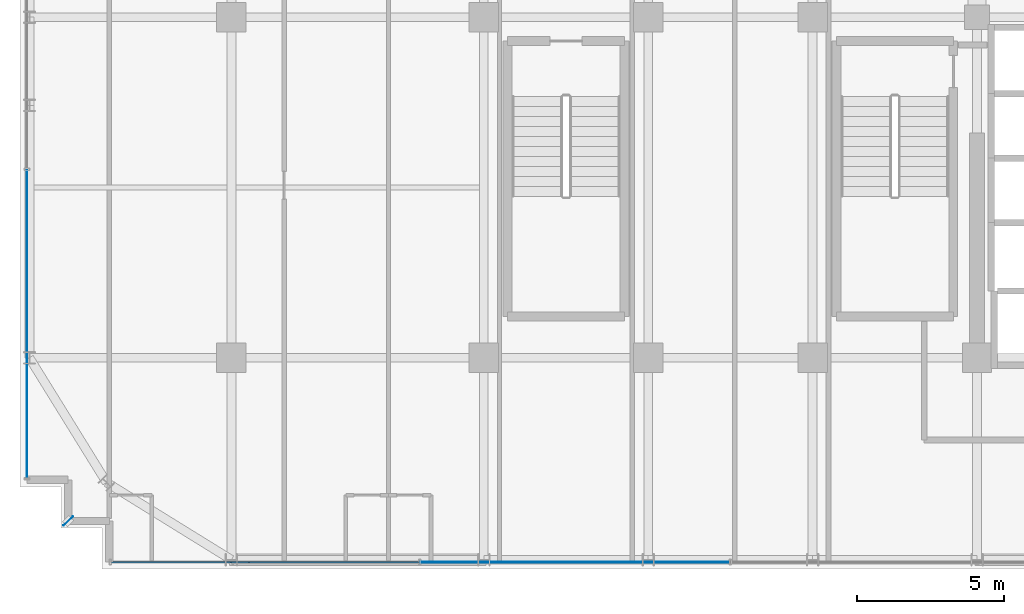
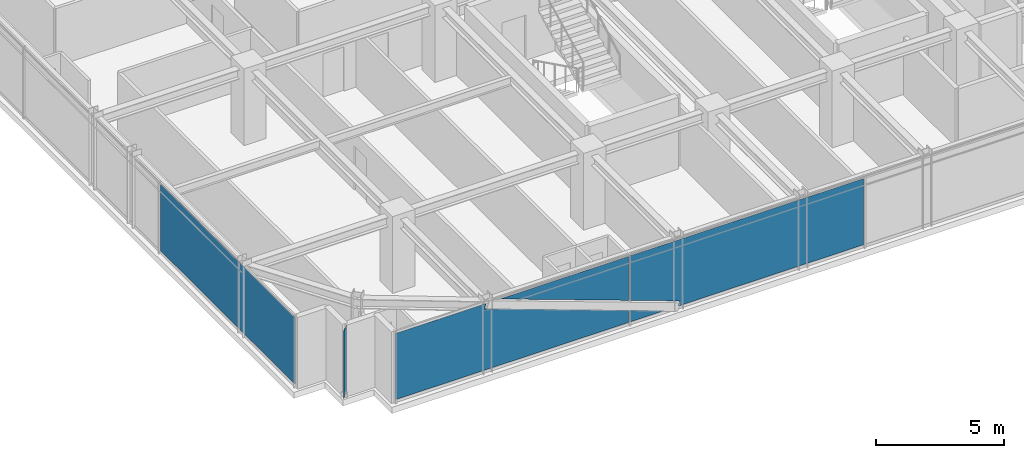
# One storey, part 29 of 43: 4 plates, 2 elements without a shape of their own.
"""IFC4 building model written with IfcOpenShell, lengths in metres."""

import ifcopenshell
import ifcopenshell.guid

model = None  # the IFC model being written
_history = None  # IfcOwnerHistory: only IFC2X3 demands one
_inside = {}  # id of a spatial element -> (the spatial element, [elements in it])
_under = {}  # id of a project, library or spatial element -> (it, [spatial elements below it])
_declared = {}  # id of a project -> (the project, [libraries it declares])
_typed = {}  # id of a type object -> (the type object, [elements of that type])
_made_of = {}  # id of a material, layer set ... -> (it, [elements and type objects made of it])


def new_model(schema):
    """Start an empty IFC model of exactly this schema.

    Asked for "IFC4X3", IfcOpenShell would pick the latest addendum, in which some entities
    have other attributes; the version numbers below select the first issue.
    IFC2X3 requires an IfcOwnerHistory on every rooted entity: one is made here for all.
    """
    global model, _history
    if schema == "IFC4X3":
        model = ifcopenshell.file(schema_version=(4, 3, 0, 0))
    else:
        model = ifcopenshell.file(schema=schema)
    _inside.clear()
    _under.clear()
    _declared.clear()
    _typed.clear()
    _made_of.clear()
    _history = None
    if model.schema == "IFC2X3":
        org = make("IfcOrganization", Name="unknown")
        user = make(
            "IfcPersonAndOrganization",
            ThePerson=make("IfcPerson", FamilyName="unknown"),
            TheOrganization=org,
        )
        app = make(
            "IfcApplication",
            ApplicationDeveloper=org,
            Version="unknown",
            ApplicationFullName="unknown",
            ApplicationIdentifier="unknown",
        )
        _history = make(
            "IfcOwnerHistory",
            OwningUser=user,
            OwningApplication=app,
            ChangeAction="ADDED",
            CreationDate=0,
        )
    return model


def make(cls, **values):
    """One entity of the class cls with the attributes given. An attribute that is None is left unset."""
    return model.create_entity(
        cls, **{name: value for name, value in values.items() if value is not None}
    )


def rooted(cls, **values):
    """An entity with a GlobalId (a new one), such as an element, a storey or a relation."""
    return make(cls, GlobalId=ifcopenshell.guid.new(), OwnerHistory=_history, **values)


def si_unit(unit_type, name, prefix=None):
    """IfcSIUnit, for example si_unit("LENGTHUNIT", "METRE", prefix="MILLI")."""
    return make("IfcSIUnit", UnitType=unit_type, Prefix=prefix, Name=name)


def assignment(units):
    """IfcUnitAssignment: the units of a project."""
    return None if units is None else make("IfcUnitAssignment", Units=units)


def point(xyz):
    """IfcCartesianPoint."""
    return None if xyz is None else make("IfcCartesianPoint", Coordinates=xyz)


def direction(xyz):
    """IfcDirection."""
    return None if xyz is None else make("IfcDirection", DirectionRatios=xyz)


def frame(location, z_axis=None, x_axis=None):
    """IfcAxis2Placement3D, a coordinate frame: its origin and axes. An axis left out is left unset."""
    return make(
        "IfcAxis2Placement3D",
        Location=point(location),
        Axis=direction(z_axis),
        RefDirection=direction(x_axis),
    )


def frame_2d(location, x_axis=None):
    """IfcAxis2Placement2D, a coordinate frame in the plane: its origin and x axis."""
    return make(
        "IfcAxis2Placement2D", Location=point(location), RefDirection=direction(x_axis)
    )


def origin():
    """The frame at (0, 0, 0) with its axes left unset."""
    return frame((0.0, 0.0, 0.0))


def origin_2d():
    """The frame at (0, 0) in the plane with its x axis left unset."""
    return frame_2d((0.0, 0.0))


def place(relative_to, where):
    """IfcLocalPlacement: puts the frame where relative to a parent placement (None: the world)."""
    return make(
        "IfcLocalPlacement", PlacementRelTo=relative_to, RelativePlacement=where
    )


def context(
    kind, dimensions, precision=None, world=None, true_north=None, identifier=None
):
    """IfcGeometricRepresentationContext, for example the 3D "Model" context."""
    return make(
        "IfcGeometricRepresentationContext",
        ContextIdentifier=identifier,
        ContextType=kind,
        CoordinateSpaceDimension=dimensions,
        Precision=precision,
        WorldCoordinateSystem=world,
        TrueNorth=true_north,
    )


def subcontext(parent, identifier, kind, view, scale=None):
    """IfcGeometricRepresentationSubContext, for example "Body" below "Model"."""
    return make(
        "IfcGeometricRepresentationSubContext",
        ContextIdentifier=identifier,
        ContextType=kind,
        ParentContext=parent,
        TargetScale=scale,
        TargetView=view,
    )


def project(units=None, contexts=None):
    """IfcProject with its units and contexts."""
    return rooted(
        "IfcProject",
        Name="project",
        RepresentationContexts=contexts,
        UnitsInContext=assignment(units),
    )


def spatial(cls, under=None, at=None, **own):
    """A site, building, storey or space (cls), placed at a placement, below another one or the project."""
    s = rooted(cls, ObjectPlacement=at, **own)
    if under is not None:
        _under.setdefault(under.id(), (under, []))[1].append(s)
    return s


def polyline(points):
    """IfcPolyline through the points."""
    return make("IfcPolyline", Points=[point(p) for p in points])


def profile(cls, at=None, kind="AREA", **sizes):
    """A parametric profile (cls). Its sizes go by their IFC names, for example OverallWidth=200.0."""
    return make(cls, ProfileType=kind, Position=at, **sizes)


def rectangle(**sizes):
    """IfcRectangleProfileDef."""
    return profile("IfcRectangleProfileDef", **sizes)


def outline(outer, holes=None, kind="AREA"):
    """IfcArbitraryClosedProfileDef: a profile drawn as a closed curve; with holes, ...WithVoids."""
    if holes is None:
        return make("IfcArbitraryClosedProfileDef", ProfileType=kind, OuterCurve=outer)
    return make(
        "IfcArbitraryProfileDefWithVoids",
        ProfileType=kind,
        OuterCurve=outer,
        InnerCurves=holes,
    )


def extrude(swept, where, along, depth):
    """IfcExtrudedAreaSolid: the profile swept, set in the frame where, extruded along a direction by depth."""
    return make(
        "IfcExtrudedAreaSolid",
        SweptArea=swept,
        Position=where,
        ExtrudedDirection=direction(along),
        Depth=depth,
    )


def shape(context_of_items, identifier, shape_type, items):
    """IfcShapeRepresentation: the items that make up one representation, for example the "Body"."""
    return make(
        "IfcShapeRepresentation",
        ContextOfItems=context_of_items,
        RepresentationIdentifier=identifier,
        RepresentationType=shape_type,
        Items=items,
    )


def source(mapping_origin, context_of_items, identifier, shape_type, items):
    """IfcRepresentationMap: a shape defined once, which mapped items show again and again."""
    return make(
        "IfcRepresentationMap",
        MappingOrigin=mapping_origin,
        MappedRepresentation=shape(context_of_items, identifier, shape_type, items),
    )


def transform(
    local_origin,
    x_axis=None,
    y_axis=None,
    z_axis=None,
    scale=None,
    scale2=None,
    scale3=None,
    uniform=True,
):
    """IfcCartesianTransformationOperator3D, or its non-uniform kind. x_axis, y_axis, z_axis: its Axis1, 2, 3."""
    if uniform:
        return make(
            "IfcCartesianTransformationOperator3D",
            Axis1=direction(x_axis),
            Axis2=direction(y_axis),
            LocalOrigin=point(local_origin),
            Scale=scale,
            Axis3=direction(z_axis),
        )
    return make(
        "IfcCartesianTransformationOperator3DnonUniform",
        Axis1=direction(x_axis),
        Axis2=direction(y_axis),
        LocalOrigin=point(local_origin),
        Scale=scale,
        Axis3=direction(z_axis),
        Scale2=scale2,
        Scale3=scale3,
    )


def mapped(mapping_source, mapping_target):
    """IfcMappedItem: shows the shape of a source again, moved by a transform."""
    return make(
        "IfcMappedItem", MappingSource=mapping_source, MappingTarget=mapping_target
    )


def material(Name=None, Category=None):
    """IfcMaterial."""
    return make("IfcMaterial", Name=Name, Category=Category)


def layer(
    of_material, thickness, ventilated=None, Name=None, Category=None, Priority=None
):
    """IfcMaterialLayer: one layer of a wall or slab, of a material (None: an air gap)."""
    return make(
        "IfcMaterialLayer",
        Material=of_material,
        LayerThickness=thickness,
        IsVentilated=ventilated,
        Name=Name,
        Category=Category,
        Priority=Priority,
    )


def layer_set(layers, Name=None):
    """IfcMaterialLayerSet."""
    return make("IfcMaterialLayerSet", MaterialLayers=layers, LayerSetName=Name)


def made_of(thing, what):
    """Note that an element or type object is made of a material, layer set ...; save() writes the relation."""
    if what is not None:
        _made_of.setdefault(what.id(), (what, []))[1].append(thing)
    return thing


def type_object(cls, material=None, **own):
    """A type object (cls), such as IfcWallType, which elements share."""
    return made_of(rooted(cls, **own), material)


def element(
    cls,
    number,
    at=None,
    inside=None,
    cuts=None,
    type_object=None,
    material=None,
    context=None,
    identifier="Body",
    shape_type=None,
    held_by="IfcProductDefinitionShape",
    body=None,
    shapes=None,
    **own,
):
    """One element of the class cls, such as IfcWall. Its Tag is "e" and its number.

    at: its placement. inside: the storey or other place that contains it. cuts: it is an
    opening in that element (IfcRelVoidsElement). A single representation is given by context,
    identifier, shape_type and body (its items); several are given by shapes. held_by: the class
    of the entity that holds the representations. save() writes the other relations.
    """
    e = rooted(cls, Tag="e%d" % number, ObjectPlacement=at, **own)
    if body is not None:
        shapes = [shape(context, identifier, shape_type, body)]
    if shapes is not None:
        e.Representation = make(held_by, Representations=shapes)
    if inside is not None:
        _inside.setdefault(inside.id(), (inside, []))[1].append(e)
    if cuts is not None:
        rooted(
            "IfcRelVoidsElement", RelatingBuildingElement=cuts, RelatedOpeningElement=e
        )
    if type_object is not None:
        _typed.setdefault(type_object.id(), (type_object, []))[1].append(e)
    return made_of(e, material)


def aggregate(whole, parts):
    """IfcRelAggregates: a whole, such as a stair, and the parts it consists of."""
    return rooted("IfcRelAggregates", RelatingObject=whole, RelatedObjects=parts)


def save(model, path):
    """Write the relations noted so far, then the file.

    IfcRelAggregates (storeys below a building ...), IfcRelContainedInSpatialStructure (elements
    in a storey), IfcRelDefinesByType, IfcRelAssociatesMaterial and IfcRelDeclares: one each for
    every whole, place, type object, material and project.
    """
    for whole, parts in _under.values():
        aggregate(whole, parts)
    for where, things in _inside.values():
        rooted(
            "IfcRelContainedInSpatialStructure",
            RelatedElements=things,
            RelatingStructure=where,
        )
    for kind, things in _typed.values():
        rooted("IfcRelDefinesByType", RelatedObjects=things, RelatingType=kind)
    for what, things in _made_of.values():
        rooted("IfcRelAssociatesMaterial", RelatedObjects=things, RelatingMaterial=what)
    for by, libraries in _declared.values():
        rooted("IfcRelDeclares", RelatingContext=by, RelatedDefinitions=libraries)
    model.write(path)


model = new_model("IFC4")

# Units and contexts
model_context = context("Model", 3, precision=1e-05, world=origin(), true_north=direction((0.0, 1.0)))
body_context = subcontext(model_context, "Body", "Model", "MODEL_VIEW")
ifc_project = project(units=[si_unit("LENGTHUNIT", "METRE"), si_unit("AREAUNIT", "SQUARE_METRE"), si_unit("VOLUMEUNIT", "CUBIC_METRE"), si_unit("PLANEANGLEUNIT", "RADIAN"), si_unit("MASSUNIT", "GRAM", prefix="KILO")], contexts=[model_context])

# Site, building, storey
site_placement = place(None, origin())
site = spatial("IfcSite", under=ifc_project, at=site_placement, CompositionType="ELEMENT")
building_placement = place(site_placement, origin())
building = spatial("IfcBuilding", under=site, at=building_placement, Name="Nahalor Promenade Grand Hotel", CompositionType="ELEMENT")
storey_placement = place(building_placement, frame((0.0, 0.0, 204.89990234375)))
storey = spatial("IfcBuildingStorey", under=building, at=storey_placement, Name="L52", CompositionType="ELEMENT", Elevation=204.89990234375)

# Curtain wall, plates
ifc_material_1 = material(Name="Anodised Bronze Aluminium EN AW-6063 T6", Category="aluminium")
curtain_wall_type = type_object("IfcCurtainWallType", Name="CW2 Typical Hotel Flush Bronze Unitised Curtain Wall", PredefinedType="USERDEFINED", material=ifc_material_1)
curtain_wall_1_placement = place(storey_placement, origin())
curtain_wall_1 = element("IfcCurtainWall", 1, at=curtain_wall_1_placement, inside=storey, type_object=curtain_wall_type, Name="L52 Curtain Wall CW-L52-S-1", ObjectType="UNITISED_CURTAIN_WALL", PredefinedType="USERDEFINED")
ifc_material_2 = material(Name="Low-E Laminated Solar Glass", Category="glass")
ifc_layer_1 = layer(ifc_material_2, 0.028076171875)
ifc_layer_set_1 = layer_set([ifc_layer_1], Name="Low-E Laminated Solar Glass")
plate_type_1 = type_object("IfcPlateType", Name="CWP2 Bronze Low-E Vision IGU 28mm", PredefinedType="CURTAIN_PANEL", material=ifc_layer_set_1)
plate_1_placement = place(storey_placement, frame((-15.853759765625, -23.9599609375, 0.130126953125), z_axis=(0.0, 0.0, 1.0), x_axis=(1.0, 0.0, 0.0)))
plate_1 = element("IfcPlate", 2, at=plate_1_placement, type_object=plate_type_1, Name="CW-L52-S-1 Glazing Panel 0-0", PredefinedType="CURTAIN_PANEL", context=body_context, shape_type="SweptSolid", body=[
    extrude(outline(polyline([(-5.2412109375, 0.0), (5.2412109375, 0.0), (5.2412109375, 0.580810546875), (-1.246337890625, 2.927001953125), (-1.16552734375, 3.14990234375), (-5.2412109375, 3.14990234375), (-5.2412109375, 0.0)])), frame((0.0, 0.01416015625, 0.0), z_axis=(0.0, -1.0, 0.0), x_axis=(1.0, 0.0, 0.0)), (0.0, 0.0, 1.0), 0.028076171875),
    extrude(outline(polyline([(5.2412109375, 1.059326171875), (5.2412109375, 3.14990234375), (-0.5400390625, 3.14990234375), (5.2412109375, 1.059326171875)])), frame((0.0, 0.01416015625, 0.0), z_axis=(0.0, -1.0, 0.0), x_axis=(1.0, 0.0, 0.0)), (0.0, 0.0, 1.0), 0.028076171875),
])
plate_2_placement = place(storey_placement, frame((-5.2900390625, -23.9599609375, 0.130126953125), z_axis=(0.0, 0.0, 1.0), x_axis=(1.0, 0.0, 0.0)))
plate_2 = element("IfcPlate", 3, at=plate_2_placement, type_object=plate_type_1, Name="CW-L52-S-1 Glazing Panel 1-0", PredefinedType="CURTAIN_PANEL", context=body_context, shape_type="SweptSolid", body=[
    extrude(outline(polyline([(5.257568359375, 3.14990234375), (-5.257568359375, 3.14990234375), (-5.257568359375, 1.035888671875), (-3.010009765625, 0.22314453125), (-3.090576171875, 0.0), (5.257568359375, 0.0), (5.257568359375, 3.14990234375)])), frame((0.0, 0.01416015625, 0.0), z_axis=(0.0, -1.0, 0.0), x_axis=(1.0, 0.0, 0.0)), (0.0, 0.0, 1.0), 0.028076171875),
    extrude(outline(polyline([(-5.257568359375, 0.557373046875), (-5.257568359375, 0.0), (-3.71630859375, 0.0), (-5.257568359375, 0.557373046875)])), frame((0.0, 0.01416015625, 0.0), z_axis=(0.0, -1.0, 0.0), x_axis=(1.0, 0.0, 0.0)), (0.0, 0.0, 1.0), 0.028076171875),
])
aggregate(curtain_wall_1, [plate_1, plate_2])

# Plate
ifc_layer_2 = layer(ifc_material_1, 0.02001953125)
ifc_layer_set_2 = layer_set([ifc_layer_2], Name="Anodised Bronze Aluminium EN AW-6063 T6")
plate_type_2 = type_object("IfcPlateType", Name="Plate-CornerFin-20", PredefinedType="SHEET", material=ifc_layer_set_2)
shared_shape_1 = source(origin(), body_context, "Body", "SweptSolid", [
    extrude(rectangle(XDim=0.449951171875, YDim=0.02001953125, at=origin_2d()), origin(), (0.0, 0.0, 1.0), 3.199951171875),
])
plate_3_placement = place(storey_placement, frame((-22.56005859375, -22.56005859375, 0.0), z_axis=(0.0, 0.0, 1.0), x_axis=(0.707106781187, 0.707106781187, 0.0)))
element("IfcPlate", 4, at=plate_3_placement, inside=storey, type_object=plate_type_2, Name="FIN-L52-SW", PredefinedType="SHEET", context=body_context, shape_type="MappedRepresentation", body=[
    mapped(shared_shape_1, transform((0.0, 0.0, 0.0), scale=1.0)),
])

# Curtain wall, plate
curtain_wall_2_placement = place(storey_placement, origin())
curtain_wall_2 = element("IfcCurtainWall", 5, at=curtain_wall_2_placement, inside=storey, type_object=curtain_wall_type, Name="L52 Curtain Wall CW-L52-W-1", ObjectType="UNITISED_CURTAIN_WALL", PredefinedType="USERDEFINED")
shared_shape_2 = source(origin(), body_context, "Body", "SweptSolid", [
    extrude(rectangle(XDim=10.482421875, YDim=0.028076171875, at=origin_2d()), origin(), (0.0, 0.0, 1.0), 3.14990234375),
])
plate_4_placement = place(storey_placement, frame((-23.9599609375, -15.853759765625, 0.130126953125), z_axis=(0.0, 0.0, 1.0), x_axis=(0.0, 1.0, 0.0)))
plate_4 = element("IfcPlate", 6, at=plate_4_placement, type_object=plate_type_1, Name="CW-L52-W-1 Glazing Panel 0-0", PredefinedType="CURTAIN_PANEL", context=body_context, shape_type="MappedRepresentation", body=[
    mapped(shared_shape_2, transform((0.0, 0.0, 0.0), scale=1.0)),
])
aggregate(curtain_wall_2, [plate_4])

save(model, "model.ifc")
